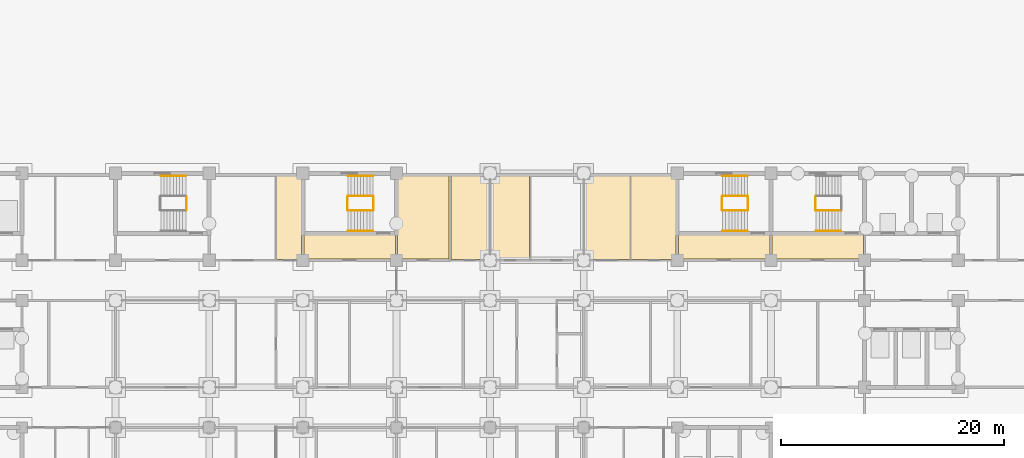
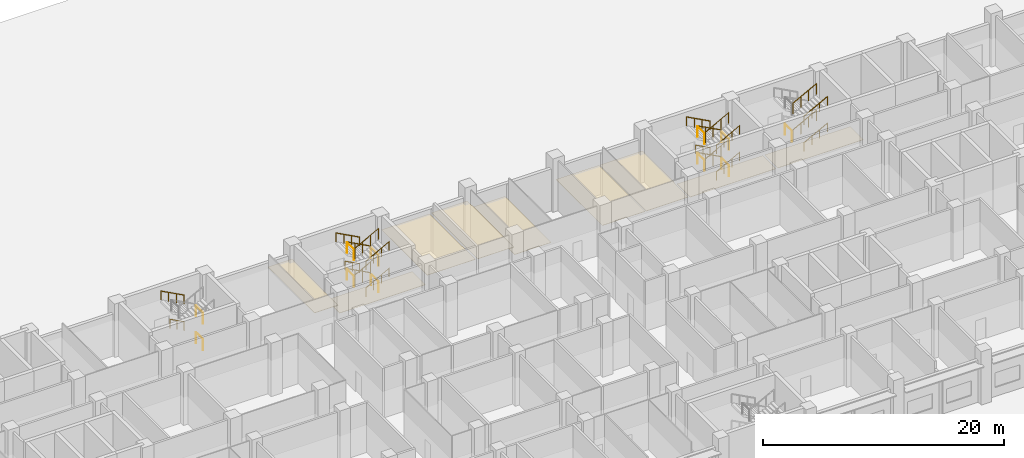
# One storey, part 141 of 146: 33 railings, 9 coverings.
"""IFC4 building model written with IfcOpenShell, lengths in metres."""

import ifcopenshell
import ifcopenshell.guid

model = None  # the IFC model being written
_history = None  # IfcOwnerHistory: only IFC2X3 demands one
_inside = {}  # id of a spatial element -> (the spatial element, [elements in it])
_under = {}  # id of a project, library or spatial element -> (it, [spatial elements below it])
_declared = {}  # id of a project -> (the project, [libraries it declares])
_typed = {}  # id of a type object -> (the type object, [elements of that type])
_made_of = {}  # id of a material, layer set ... -> (it, [elements and type objects made of it])


def new_model(schema):
    """Start an empty IFC model of exactly this schema.

    Asked for "IFC4X3", IfcOpenShell would pick the latest addendum, in which some entities
    have other attributes; the version numbers below select the first issue.
    IFC2X3 requires an IfcOwnerHistory on every rooted entity: one is made here for all.
    """
    global model, _history
    if schema == "IFC4X3":
        model = ifcopenshell.file(schema_version=(4, 3, 0, 0))
    else:
        model = ifcopenshell.file(schema=schema)
    _inside.clear()
    _under.clear()
    _declared.clear()
    _typed.clear()
    _made_of.clear()
    _history = None
    if model.schema == "IFC2X3":
        org = make("IfcOrganization", Name="unknown")
        user = make(
            "IfcPersonAndOrganization",
            ThePerson=make("IfcPerson", FamilyName="unknown"),
            TheOrganization=org,
        )
        app = make(
            "IfcApplication",
            ApplicationDeveloper=org,
            Version="unknown",
            ApplicationFullName="unknown",
            ApplicationIdentifier="unknown",
        )
        _history = make(
            "IfcOwnerHistory",
            OwningUser=user,
            OwningApplication=app,
            ChangeAction="ADDED",
            CreationDate=0,
        )
    return model


def make(cls, **values):
    """One entity of the class cls with the attributes given. An attribute that is None is left unset."""
    return model.create_entity(
        cls, **{name: value for name, value in values.items() if value is not None}
    )


def rooted(cls, **values):
    """An entity with a GlobalId (a new one), such as an element, a storey or a relation."""
    return make(cls, GlobalId=ifcopenshell.guid.new(), OwnerHistory=_history, **values)


def si_unit(unit_type, name, prefix=None):
    """IfcSIUnit, for example si_unit("LENGTHUNIT", "METRE", prefix="MILLI")."""
    return make("IfcSIUnit", UnitType=unit_type, Prefix=prefix, Name=name)


def assignment(units):
    """IfcUnitAssignment: the units of a project."""
    return None if units is None else make("IfcUnitAssignment", Units=units)


def point(xyz):
    """IfcCartesianPoint."""
    return None if xyz is None else make("IfcCartesianPoint", Coordinates=xyz)


def direction(xyz):
    """IfcDirection."""
    return None if xyz is None else make("IfcDirection", DirectionRatios=xyz)


def frame(location, z_axis=None, x_axis=None):
    """IfcAxis2Placement3D, a coordinate frame: its origin and axes. An axis left out is left unset."""
    return make(
        "IfcAxis2Placement3D",
        Location=point(location),
        Axis=direction(z_axis),
        RefDirection=direction(x_axis),
    )


def frame_2d(location, x_axis=None):
    """IfcAxis2Placement2D, a coordinate frame in the plane: its origin and x axis."""
    return make(
        "IfcAxis2Placement2D", Location=point(location), RefDirection=direction(x_axis)
    )


def origin():
    """The frame at (0, 0, 0) with its axes left unset."""
    return frame((0.0, 0.0, 0.0))


def origin_2d():
    """The frame at (0, 0) in the plane with its x axis left unset."""
    return frame_2d((0.0, 0.0))


def place(relative_to, where):
    """IfcLocalPlacement: puts the frame where relative to a parent placement (None: the world)."""
    return make(
        "IfcLocalPlacement", PlacementRelTo=relative_to, RelativePlacement=where
    )


def context(
    kind, dimensions, precision=None, world=None, true_north=None, identifier=None
):
    """IfcGeometricRepresentationContext, for example the 3D "Model" context."""
    return make(
        "IfcGeometricRepresentationContext",
        ContextIdentifier=identifier,
        ContextType=kind,
        CoordinateSpaceDimension=dimensions,
        Precision=precision,
        WorldCoordinateSystem=world,
        TrueNorth=true_north,
    )


def subcontext(parent, identifier, kind, view, scale=None):
    """IfcGeometricRepresentationSubContext, for example "Body" below "Model"."""
    return make(
        "IfcGeometricRepresentationSubContext",
        ContextIdentifier=identifier,
        ContextType=kind,
        ParentContext=parent,
        TargetScale=scale,
        TargetView=view,
    )


def project(units=None, contexts=None):
    """IfcProject with its units and contexts."""
    return rooted(
        "IfcProject",
        Name="project",
        RepresentationContexts=contexts,
        UnitsInContext=assignment(units),
    )


def spatial(cls, under=None, at=None, **own):
    """A site, building, storey or space (cls), placed at a placement, below another one or the project."""
    s = rooted(cls, ObjectPlacement=at, **own)
    if under is not None:
        _under.setdefault(under.id(), (under, []))[1].append(s)
    return s


def polyline(points):
    """IfcPolyline through the points."""
    return make("IfcPolyline", Points=[point(p) for p in points])


def profile(cls, at=None, kind="AREA", **sizes):
    """A parametric profile (cls). Its sizes go by their IFC names, for example OverallWidth=200.0."""
    return make(cls, ProfileType=kind, Position=at, **sizes)


def circle(**sizes):
    """IfcCircleProfileDef."""
    return profile("IfcCircleProfileDef", **sizes)


def outline(outer, holes=None, kind="AREA"):
    """IfcArbitraryClosedProfileDef: a profile drawn as a closed curve; with holes, ...WithVoids."""
    if holes is None:
        return make("IfcArbitraryClosedProfileDef", ProfileType=kind, OuterCurve=outer)
    return make(
        "IfcArbitraryProfileDefWithVoids",
        ProfileType=kind,
        OuterCurve=outer,
        InnerCurves=holes,
    )


def extrude(swept, where, along, depth):
    """IfcExtrudedAreaSolid: the profile swept, set in the frame where, extruded along a direction by depth."""
    return make(
        "IfcExtrudedAreaSolid",
        SweptArea=swept,
        Position=where,
        ExtrudedDirection=direction(along),
        Depth=depth,
    )


def shape(context_of_items, identifier, shape_type, items):
    """IfcShapeRepresentation: the items that make up one representation, for example the "Body"."""
    return make(
        "IfcShapeRepresentation",
        ContextOfItems=context_of_items,
        RepresentationIdentifier=identifier,
        RepresentationType=shape_type,
        Items=items,
    )


def material(Name=None, Category=None):
    """IfcMaterial."""
    return make("IfcMaterial", Name=Name, Category=Category)


def layer(
    of_material, thickness, ventilated=None, Name=None, Category=None, Priority=None
):
    """IfcMaterialLayer: one layer of a wall or slab, of a material (None: an air gap)."""
    return make(
        "IfcMaterialLayer",
        Material=of_material,
        LayerThickness=thickness,
        IsVentilated=ventilated,
        Name=Name,
        Category=Category,
        Priority=Priority,
    )


def layer_set(layers, Name=None):
    """IfcMaterialLayerSet."""
    return make("IfcMaterialLayerSet", MaterialLayers=layers, LayerSetName=Name)


def made_of(thing, what):
    """Note that an element or type object is made of a material, layer set ...; save() writes the relation."""
    if what is not None:
        _made_of.setdefault(what.id(), (what, []))[1].append(thing)
    return thing


def type_object(cls, material=None, **own):
    """A type object (cls), such as IfcWallType, which elements share."""
    return made_of(rooted(cls, **own), material)


def element(
    cls,
    number,
    at=None,
    inside=None,
    cuts=None,
    type_object=None,
    material=None,
    context=None,
    identifier="Body",
    shape_type=None,
    held_by="IfcProductDefinitionShape",
    body=None,
    shapes=None,
    **own,
):
    """One element of the class cls, such as IfcWall. Its Tag is "e" and its number.

    at: its placement. inside: the storey or other place that contains it. cuts: it is an
    opening in that element (IfcRelVoidsElement). A single representation is given by context,
    identifier, shape_type and body (its items); several are given by shapes. held_by: the class
    of the entity that holds the representations. save() writes the other relations.
    """
    e = rooted(cls, Tag="e%d" % number, ObjectPlacement=at, **own)
    if body is not None:
        shapes = [shape(context, identifier, shape_type, body)]
    if shapes is not None:
        e.Representation = make(held_by, Representations=shapes)
    if inside is not None:
        _inside.setdefault(inside.id(), (inside, []))[1].append(e)
    if cuts is not None:
        rooted(
            "IfcRelVoidsElement", RelatingBuildingElement=cuts, RelatedOpeningElement=e
        )
    if type_object is not None:
        _typed.setdefault(type_object.id(), (type_object, []))[1].append(e)
    return made_of(e, material)


def aggregate(whole, parts):
    """IfcRelAggregates: a whole, such as a stair, and the parts it consists of."""
    return rooted("IfcRelAggregates", RelatingObject=whole, RelatedObjects=parts)


def save(model, path):
    """Write the relations noted so far, then the file.

    IfcRelAggregates (storeys below a building ...), IfcRelContainedInSpatialStructure (elements
    in a storey), IfcRelDefinesByType, IfcRelAssociatesMaterial and IfcRelDeclares: one each for
    every whole, place, type object, material and project.
    """
    for whole, parts in _under.values():
        aggregate(whole, parts)
    for where, things in _inside.values():
        rooted(
            "IfcRelContainedInSpatialStructure",
            RelatedElements=things,
            RelatingStructure=where,
        )
    for kind, things in _typed.values():
        rooted("IfcRelDefinesByType", RelatedObjects=things, RelatingType=kind)
    for what, things in _made_of.values():
        rooted("IfcRelAssociatesMaterial", RelatedObjects=things, RelatingMaterial=what)
    for by, libraries in _declared.values():
        rooted("IfcRelDeclares", RelatingContext=by, RelatedDefinitions=libraries)
    model.write(path)


model = new_model("IFC4")

# Units and contexts
model_context = context("Model", 3, precision=1e-05, world=origin(), true_north=direction((0.0, 1.0)))
body_context = subcontext(model_context, "Body", "Model", "MODEL_VIEW")
ifc_project = project(units=[si_unit("LENGTHUNIT", "METRE"), si_unit("AREAUNIT", "SQUARE_METRE"), si_unit("VOLUMEUNIT", "CUBIC_METRE"), si_unit("PLANEANGLEUNIT", "RADIAN"), si_unit("MASSUNIT", "GRAM", prefix="KILO")], contexts=[model_context])

# Site, building, storey
site_placement = place(None, origin())
site = spatial("IfcSite", under=ifc_project, at=site_placement, CompositionType="ELEMENT")
building_placement = place(site_placement, origin())
building = spatial("IfcBuilding", under=site, at=building_placement, Name="Bougainvillea Quay General Hospital", CompositionType="ELEMENT")
storey_placement = place(building_placement, origin())
storey = spatial("IfcBuildingStorey", under=building, at=storey_placement, Name="L00", CompositionType="ELEMENT", Elevation=0.0)

# Railings
ifc_material_1 = material(Name="Stainless steel 304 balustrade", Category="steel")
railing_type_1 = type_object("IfcRailingType", Name="Stair guard 1100", PredefinedType="GUARDRAIL", material=ifc_material_1)
railing_1_placement = place(storey_placement, frame((146.81005859375, 157.5, 1.35009765625)))
element("IfcRailing", 1, at=railing_1_placement, inside=storey, type_object=railing_type_1, Name="L00 ST-D3 stair guard 2", PredefinedType="GUARDRAIL", context=body_context, shape_type="SweptSolid", body=[
    extrude(circle(Radius=0.02392578125, at=origin_2d()), frame((0.0, 0.0, 1.076171875), z_axis=(0.0, -1.0, 0.0), x_axis=(1.0, 0.0, 0.0)), (0.0, 0.0, 1.0), 1.199951171875),
    extrude(circle(Radius=0.02099609375, at=origin_2d()), origin(), (0.0, 0.0, 1.0), 1.052001953125),
    extrude(circle(Radius=0.02099609375, at=origin_2d()), frame((0.0, -1.199951171875, 0.0)), (0.0, 0.0, 1.0), 1.052001953125),
])
for number, where, name in (
    (2, (146.860107421875, 156.25, 1.5), "L00 ST-D3 stair guard 3"),
    (3, (146.860107421875, 156.25, 4.199951171875), "L00 ST-D3 stair guard 7"),
):
    element("IfcRailing", number, at=place(storey_placement, frame(where)), inside=storey, type_object=railing_type_1, Name=name, PredefinedType="GUARDRAIL", context=body_context, shape_type="SweptSolid", body=[
        extrude(circle(Radius=0.02392578125, at=origin_2d()), frame((0.0, 0.0, 1.076171875), z_axis=(0.881487111273, 0.0, 0.472208081951), x_axis=(0.0, 1.0, 0.0)), (0.0, 0.0, 1.0), 2.541259765625),
        extrude(circle(Radius=0.02099609375, at=origin_2d()), origin(), (0.0, 0.0, 1.0), 1.052001953125),
        extrude(circle(Radius=0.02099609375, at=origin_2d()), frame((0.74658203125, 0.0, 0.39990234375)), (0.0, 0.0, 1.0), 1.052001953125),
        extrude(circle(Radius=0.02099609375, at=origin_2d()), frame((1.493408203125, 0.0, 0.800048828125)), (0.0, 0.0, 1.0), 1.052001953125),
        extrude(circle(Radius=0.02099609375, at=origin_2d()), frame((2.239990234375, 0.0, 1.199951171875)), (0.0, 0.0, 1.0), 1.052001953125),
    ])
for number, where, name in (
    (4, (90.35009765625, 157.5, 2.699951171875), "L00 ST-A2 stair guard 4"),
    (5, (90.35009765625, 157.5, 0.0), "L00 ST-A2 stair guard 8"),
):
    element("IfcRailing", number, at=place(storey_placement, frame(where)), inside=storey, type_object=railing_type_1, Name=name, PredefinedType="GUARDRAIL", context=body_context, shape_type="SweptSolid", body=[
        extrude(circle(Radius=0.02392578125, at=origin_2d()), frame((0.0, 0.0, 1.076171875), z_axis=(0.0, -1.0, 0.0), x_axis=(1.0, 0.0, 0.0)), (0.0, 0.0, 1.0), 1.199951171875),
        extrude(circle(Radius=0.02099609375, at=origin_2d()), origin(), (0.0, 0.0, 1.0), 1.052001953125),
        extrude(circle(Radius=0.02099609375, at=origin_2d()), frame((0.0, -1.199951171875, 0.0)), (0.0, 0.0, 1.0), 1.052001953125),
    ])
railing_2_placement = place(storey_placement, frame((140.699951171875, 157.550048828125, 0.14990234375)))
element("IfcRailing", 6, at=railing_2_placement, inside=storey, type_object=railing_type_1, Name="L00 ST-A3 stair guard 1", PredefinedType="GUARDRAIL", context=body_context, shape_type="SweptSolid", body=[
    extrude(circle(Radius=0.02392578125, at=origin_2d()), frame((0.0, 0.0, 1.076171875), z_axis=(-0.881447119201, 0.0, 0.472282728937), x_axis=(0.0, -1.0, 0.0)), (0.0, 0.0, 1.0), 2.541259765625),
    extrude(circle(Radius=0.02099609375, at=origin_2d()), origin(), (0.0, 0.0, 1.0), 1.052001953125),
    extrude(circle(Radius=0.02099609375, at=origin_2d()), frame((-0.74658203125, 0.0, 0.400146484375)), (0.0, 0.0, 1.0), 1.052001953125),
    extrude(circle(Radius=0.02099609375, at=origin_2d()), frame((-1.493408203125, 0.0, 0.800048828125)), (0.0, 0.0, 1.0), 1.052001953125),
    extrude(circle(Radius=0.02099609375, at=origin_2d()), frame((-2.239990234375, 0.0, 1.2001953125)), (0.0, 0.0, 1.0), 1.052001953125),
])
railing_3_placement = place(storey_placement, frame((138.409912109375, 157.5, 1.35009765625)))
element("IfcRailing", 7, at=railing_3_placement, inside=storey, type_object=railing_type_1, Name="L00 ST-A3 stair guard 2", PredefinedType="GUARDRAIL", context=body_context, shape_type="SweptSolid", body=[
    extrude(circle(Radius=0.02392578125, at=origin_2d()), frame((0.0, 0.0, 1.076171875), z_axis=(0.0, -1.0, 0.0), x_axis=(1.0, 0.0, 0.0)), (0.0, 0.0, 1.0), 1.199951171875),
    extrude(circle(Radius=0.02099609375, at=origin_2d()), origin(), (0.0, 0.0, 1.0), 1.052001953125),
    extrude(circle(Radius=0.02099609375, at=origin_2d()), frame((0.0, -1.199951171875, 0.0)), (0.0, 0.0, 1.0), 1.052001953125),
])
railing_4_placement = place(storey_placement, frame((138.4599609375, 156.25, 1.5)))
element("IfcRailing", 8, at=railing_4_placement, inside=storey, type_object=railing_type_1, Name="L00 ST-A3 stair guard 3", PredefinedType="GUARDRAIL", context=body_context, shape_type="SweptSolid", body=[
    extrude(circle(Radius=0.02392578125, at=origin_2d()), frame((0.0, 0.0, 1.076171875), z_axis=(0.881487111273, 0.0, 0.472208081951), x_axis=(0.0, 1.0, 0.0)), (0.0, 0.0, 1.0), 2.541259765625),
    extrude(circle(Radius=0.02099609375, at=origin_2d()), origin(), (0.0, 0.0, 1.0), 1.052001953125),
    extrude(circle(Radius=0.02099609375, at=origin_2d()), frame((0.74658203125, 0.0, 0.39990234375)), (0.0, 0.0, 1.0), 1.052001953125),
    extrude(circle(Radius=0.02099609375, at=origin_2d()), frame((1.493408203125, 0.0, 0.800048828125)), (0.0, 0.0, 1.0), 1.052001953125),
    extrude(circle(Radius=0.02099609375, at=origin_2d()), frame((2.239990234375, 0.0, 1.199951171875)), (0.0, 0.0, 1.0), 1.052001953125),
])
railing_5_placement = place(storey_placement, frame((140.75, 157.5, 2.699951171875)))
element("IfcRailing", 9, at=railing_5_placement, inside=storey, type_object=railing_type_1, Name="L00 ST-A3 stair guard 4", PredefinedType="GUARDRAIL", context=body_context, shape_type="SweptSolid", body=[
    extrude(circle(Radius=0.02392578125, at=origin_2d()), frame((0.0, 0.0, 1.076171875), z_axis=(0.0, -1.0, 0.0), x_axis=(1.0, 0.0, 0.0)), (0.0, 0.0, 1.0), 1.199951171875),
    extrude(circle(Radius=0.02099609375, at=origin_2d()), origin(), (0.0, 0.0, 1.0), 1.052001953125),
    extrude(circle(Radius=0.02099609375, at=origin_2d()), frame((0.0, -1.199951171875, 0.0)), (0.0, 0.0, 1.0), 1.052001953125),
])
railing_6_placement = place(storey_placement, frame((140.699951171875, 157.550048828125, 2.85009765625)))
element("IfcRailing", 10, at=railing_6_placement, inside=storey, type_object=railing_type_1, Name="L00 ST-A3 stair guard 5", PredefinedType="GUARDRAIL", context=body_context, shape_type="SweptSolid", body=[
    extrude(circle(Radius=0.02392578125, at=origin_2d()), frame((0.0, 0.0, 1.076171875), z_axis=(-0.881487111273, 0.0, 0.472208081951), x_axis=(0.0, -1.0, 0.0)), (0.0, 0.0, 1.0), 2.541259765625),
    extrude(circle(Radius=0.02099609375, at=origin_2d()), origin(), (0.0, 0.0, 1.0), 1.052001953125),
    extrude(circle(Radius=0.02099609375, at=origin_2d()), frame((-0.74658203125, 0.0, 0.39990234375)), (0.0, 0.0, 1.0), 1.052001953125),
    extrude(circle(Radius=0.02099609375, at=origin_2d()), frame((-1.493408203125, 0.0, 0.800048828125)), (0.0, 0.0, 1.0), 1.052001953125),
    extrude(circle(Radius=0.02099609375, at=origin_2d()), frame((-2.239990234375, 0.0, 1.199951171875)), (0.0, 0.0, 1.0), 1.052001953125),
])
railing_7_placement = place(storey_placement, frame((138.409912109375, 157.5, 4.050048828125)))
element("IfcRailing", 11, at=railing_7_placement, inside=storey, type_object=railing_type_1, Name="L00 ST-A3 stair guard 6", PredefinedType="GUARDRAIL", context=body_context, shape_type="SweptSolid", body=[
    extrude(circle(Radius=0.02392578125, at=origin_2d()), frame((0.0, 0.0, 1.076171875), z_axis=(0.0, -1.0, 0.0), x_axis=(1.0, 0.0, 0.0)), (0.0, 0.0, 1.0), 1.199951171875),
    extrude(circle(Radius=0.02099609375, at=origin_2d()), origin(), (0.0, 0.0, 1.0), 1.052001953125),
    extrude(circle(Radius=0.02099609375, at=origin_2d()), frame((0.0, -1.199951171875, 0.0)), (0.0, 0.0, 1.0), 1.052001953125),
])
railing_8_placement = place(storey_placement, frame((138.4599609375, 156.25, 4.199951171875)))
element("IfcRailing", 12, at=railing_8_placement, inside=storey, type_object=railing_type_1, Name="L00 ST-A3 stair guard 7", PredefinedType="GUARDRAIL", context=body_context, shape_type="SweptSolid", body=[
    extrude(circle(Radius=0.02392578125, at=origin_2d()), frame((0.0, 0.0, 1.076171875), z_axis=(0.881487111273, 0.0, 0.472208081951), x_axis=(0.0, 1.0, 0.0)), (0.0, 0.0, 1.0), 2.541259765625),
    extrude(circle(Radius=0.02099609375, at=origin_2d()), origin(), (0.0, 0.0, 1.0), 1.052001953125),
    extrude(circle(Radius=0.02099609375, at=origin_2d()), frame((0.74658203125, 0.0, 0.39990234375)), (0.0, 0.0, 1.0), 1.052001953125),
    extrude(circle(Radius=0.02099609375, at=origin_2d()), frame((1.493408203125, 0.0, 0.800048828125)), (0.0, 0.0, 1.0), 1.052001953125),
    extrude(circle(Radius=0.02099609375, at=origin_2d()), frame((2.239990234375, 0.0, 1.199951171875)), (0.0, 0.0, 1.0), 1.052001953125),
])
railing_9_placement = place(storey_placement, frame((140.75, 157.5, 0.0)))
element("IfcRailing", 13, at=railing_9_placement, inside=storey, type_object=railing_type_1, Name="L00 ST-A3 stair guard 8", PredefinedType="GUARDRAIL", context=body_context, shape_type="SweptSolid", body=[
    extrude(circle(Radius=0.02392578125, at=origin_2d()), frame((0.0, 0.0, 1.076171875), z_axis=(0.0, -1.0, 0.0), x_axis=(1.0, 0.0, 0.0)), (0.0, 0.0, 1.0), 1.199951171875),
    extrude(circle(Radius=0.02099609375, at=origin_2d()), origin(), (0.0, 0.0, 1.0), 1.052001953125),
    extrude(circle(Radius=0.02099609375, at=origin_2d()), frame((0.0, -1.199951171875, 0.0)), (0.0, 0.0, 1.0), 1.052001953125),
])
railing_10_placement = place(storey_placement, frame((107.10009765625, 157.550048828125, 0.14990234375)))
element("IfcRailing", 14, at=railing_10_placement, inside=storey, type_object=railing_type_1, Name="L00 ST-A5 stair guard 1", PredefinedType="GUARDRAIL", context=body_context, shape_type="SweptSolid", body=[
    extrude(circle(Radius=0.02392578125, at=origin_2d()), frame((0.0, 0.0, 1.076171875), z_axis=(-0.881447119201, 0.0, 0.472282728937), x_axis=(0.0, -1.0, 0.0)), (0.0, 0.0, 1.0), 2.541259765625),
    extrude(circle(Radius=0.02099609375, at=origin_2d()), origin(), (0.0, 0.0, 1.0), 1.052001953125),
    extrude(circle(Radius=0.02099609375, at=origin_2d()), frame((-0.74658203125, 0.0, 0.400146484375)), (0.0, 0.0, 1.0), 1.052001953125),
    extrude(circle(Radius=0.02099609375, at=origin_2d()), frame((-1.493408203125, 0.0, 0.800048828125)), (0.0, 0.0, 1.0), 1.052001953125),
    extrude(circle(Radius=0.02099609375, at=origin_2d()), frame((-2.239990234375, 0.0, 1.2001953125)), (0.0, 0.0, 1.0), 1.052001953125),
])
railing_11_placement = place(storey_placement, frame((104.81005859375, 157.5, 1.35009765625)))
element("IfcRailing", 15, at=railing_11_placement, inside=storey, type_object=railing_type_1, Name="L00 ST-A5 stair guard 2", PredefinedType="GUARDRAIL", context=body_context, shape_type="SweptSolid", body=[
    extrude(circle(Radius=0.02392578125, at=origin_2d()), frame((0.0, 0.0, 1.076171875), z_axis=(0.0, -1.0, 0.0), x_axis=(1.0, 0.0, 0.0)), (0.0, 0.0, 1.0), 1.199951171875),
    extrude(circle(Radius=0.02099609375, at=origin_2d()), origin(), (0.0, 0.0, 1.0), 1.052001953125),
    extrude(circle(Radius=0.02099609375, at=origin_2d()), frame((0.0, -1.199951171875, 0.0)), (0.0, 0.0, 1.0), 1.052001953125),
])
railing_12_placement = place(storey_placement, frame((104.860107421875, 156.25, 1.5)))
element("IfcRailing", 16, at=railing_12_placement, inside=storey, type_object=railing_type_1, Name="L00 ST-A5 stair guard 3", PredefinedType="GUARDRAIL", context=body_context, shape_type="SweptSolid", body=[
    extrude(circle(Radius=0.02392578125, at=origin_2d()), frame((0.0, 0.0, 1.076171875), z_axis=(0.881487111273, 0.0, 0.472208081951), x_axis=(0.0, 1.0, 0.0)), (0.0, 0.0, 1.0), 2.541259765625),
    extrude(circle(Radius=0.02099609375, at=origin_2d()), origin(), (0.0, 0.0, 1.0), 1.052001953125),
    extrude(circle(Radius=0.02099609375, at=origin_2d()), frame((0.74658203125, 0.0, 0.39990234375)), (0.0, 0.0, 1.0), 1.052001953125),
    extrude(circle(Radius=0.02099609375, at=origin_2d()), frame((1.493408203125, 0.0, 0.800048828125)), (0.0, 0.0, 1.0), 1.052001953125),
    extrude(circle(Radius=0.02099609375, at=origin_2d()), frame((2.239990234375, 0.0, 1.199951171875)), (0.0, 0.0, 1.0), 1.052001953125),
])
railing_13_placement = place(storey_placement, frame((107.14990234375, 157.5, 2.699951171875)))
element("IfcRailing", 17, at=railing_13_placement, inside=storey, type_object=railing_type_1, Name="L00 ST-A5 stair guard 4", PredefinedType="GUARDRAIL", context=body_context, shape_type="SweptSolid", body=[
    extrude(circle(Radius=0.02392578125, at=origin_2d()), frame((0.0, 0.0, 1.076171875), z_axis=(0.0, -1.0, 0.0), x_axis=(1.0, 0.0, 0.0)), (0.0, 0.0, 1.0), 1.199951171875),
    extrude(circle(Radius=0.02099609375, at=origin_2d()), origin(), (0.0, 0.0, 1.0), 1.052001953125),
    extrude(circle(Radius=0.02099609375, at=origin_2d()), frame((0.0, -1.199951171875, 0.0)), (0.0, 0.0, 1.0), 1.052001953125),
])
railing_14_placement = place(storey_placement, frame((107.10009765625, 157.550048828125, 2.85009765625)))
element("IfcRailing", 18, at=railing_14_placement, inside=storey, type_object=railing_type_1, Name="L00 ST-A5 stair guard 5", PredefinedType="GUARDRAIL", context=body_context, shape_type="SweptSolid", body=[
    extrude(circle(Radius=0.02392578125, at=origin_2d()), frame((0.0, 0.0, 1.076171875), z_axis=(-0.881487111273, 0.0, 0.472208081951), x_axis=(0.0, -1.0, 0.0)), (0.0, 0.0, 1.0), 2.541259765625),
    extrude(circle(Radius=0.02099609375, at=origin_2d()), origin(), (0.0, 0.0, 1.0), 1.052001953125),
    extrude(circle(Radius=0.02099609375, at=origin_2d()), frame((-0.74658203125, 0.0, 0.39990234375)), (0.0, 0.0, 1.0), 1.052001953125),
    extrude(circle(Radius=0.02099609375, at=origin_2d()), frame((-1.493408203125, 0.0, 0.800048828125)), (0.0, 0.0, 1.0), 1.052001953125),
    extrude(circle(Radius=0.02099609375, at=origin_2d()), frame((-2.239990234375, 0.0, 1.199951171875)), (0.0, 0.0, 1.0), 1.052001953125),
])
railing_15_placement = place(storey_placement, frame((104.81005859375, 157.5, 4.050048828125)))
element("IfcRailing", 19, at=railing_15_placement, inside=storey, type_object=railing_type_1, Name="L00 ST-A5 stair guard 6", PredefinedType="GUARDRAIL", context=body_context, shape_type="SweptSolid", body=[
    extrude(circle(Radius=0.02392578125, at=origin_2d()), frame((0.0, 0.0, 1.076171875), z_axis=(0.0, -1.0, 0.0), x_axis=(1.0, 0.0, 0.0)), (0.0, 0.0, 1.0), 1.199951171875),
    extrude(circle(Radius=0.02099609375, at=origin_2d()), origin(), (0.0, 0.0, 1.0), 1.052001953125),
    extrude(circle(Radius=0.02099609375, at=origin_2d()), frame((0.0, -1.199951171875, 0.0)), (0.0, 0.0, 1.0), 1.052001953125),
])
railing_16_placement = place(storey_placement, frame((104.860107421875, 156.25, 4.199951171875)))
element("IfcRailing", 20, at=railing_16_placement, inside=storey, type_object=railing_type_1, Name="L00 ST-A5 stair guard 7", PredefinedType="GUARDRAIL", context=body_context, shape_type="SweptSolid", body=[
    extrude(circle(Radius=0.02392578125, at=origin_2d()), frame((0.0, 0.0, 1.076171875), z_axis=(0.881487111273, 0.0, 0.472208081951), x_axis=(0.0, 1.0, 0.0)), (0.0, 0.0, 1.0), 2.541259765625),
    extrude(circle(Radius=0.02099609375, at=origin_2d()), origin(), (0.0, 0.0, 1.0), 1.052001953125),
    extrude(circle(Radius=0.02099609375, at=origin_2d()), frame((0.74658203125, 0.0, 0.39990234375)), (0.0, 0.0, 1.0), 1.052001953125),
    extrude(circle(Radius=0.02099609375, at=origin_2d()), frame((1.493408203125, 0.0, 0.800048828125)), (0.0, 0.0, 1.0), 1.052001953125),
    extrude(circle(Radius=0.02099609375, at=origin_2d()), frame((2.239990234375, 0.0, 1.199951171875)), (0.0, 0.0, 1.0), 1.052001953125),
])
railing_17_placement = place(storey_placement, frame((107.14990234375, 157.5, 0.0)))
element("IfcRailing", 21, at=railing_17_placement, inside=storey, type_object=railing_type_1, Name="L00 ST-A5 stair guard 8", PredefinedType="GUARDRAIL", context=body_context, shape_type="SweptSolid", body=[
    extrude(circle(Radius=0.02392578125, at=origin_2d()), frame((0.0, 0.0, 1.076171875), z_axis=(0.0, -1.0, 0.0), x_axis=(1.0, 0.0, 0.0)), (0.0, 0.0, 1.0), 1.199951171875),
    extrude(circle(Radius=0.02099609375, at=origin_2d()), origin(), (0.0, 0.0, 1.0), 1.052001953125),
    extrude(circle(Radius=0.02099609375, at=origin_2d()), frame((0.0, -1.199951171875, 0.0)), (0.0, 0.0, 1.0), 1.052001953125),
])
ifc_material_2 = material(Name="Stainless steel 304 handrail", Category="steel")
railing_type_2 = type_object("IfcRailingType", Name="Stair handrail 900", PredefinedType="HANDRAIL", material=ifc_material_2)
for number, where, name in (
    (22, (146.860107421875, 154.425048828125, 1.5), "L00 ST-D3 stair handrail 2"),
    (23, (146.860107421875, 154.425048828125, 4.199951171875), "L00 ST-D3 stair handrail 4"),
):
    element("IfcRailing", number, at=place(storey_placement, frame(where)), inside=storey, type_object=railing_type_2, Name=name, PredefinedType="HANDRAIL", context=body_context, shape_type="SweptSolid", body=[
        extrude(circle(Radius=0.02392578125, at=origin_2d()), frame((0.0, 0.0, 0.8759765625), z_axis=(0.881487111273, 0.0, 0.472208081951), x_axis=(0.0, 1.0, 0.0)), (0.0, 0.0, 1.0), 2.541259765625),
        extrude(circle(Radius=0.02099609375, at=origin_2d()), origin(), (0.0, 0.0, 1.0), 0.851806640625),
        extrude(circle(Radius=0.02099609375, at=origin_2d()), frame((0.74658203125, 0.0, 0.39990234375)), (0.0, 0.0, 1.0), 0.851806640625),
        extrude(circle(Radius=0.02099609375, at=origin_2d()), frame((1.493408203125, 0.0, 0.800048828125)), (0.0, 0.0, 1.0), 0.851806640625),
        extrude(circle(Radius=0.02099609375, at=origin_2d()), frame((2.239990234375, 0.0, 1.199951171875)), (0.0, 0.0, 1.0), 0.851806640625),
    ])
railing_18_placement = place(storey_placement, frame((90.300048828125, 159.375, 2.85009765625)))
element("IfcRailing", 24, at=railing_18_placement, inside=storey, type_object=railing_type_2, Name="L00 ST-A2 stair handrail 3", PredefinedType="HANDRAIL", context=body_context, shape_type="SweptSolid", body=[
    extrude(circle(Radius=0.02392578125, at=origin_2d()), frame((0.0, 0.0, 0.8759765625), z_axis=(-0.881487111273, 0.0, 0.472208081951), x_axis=(0.0, -1.0, 0.0)), (0.0, 0.0, 1.0), 2.541259765625),
    extrude(circle(Radius=0.02099609375, at=origin_2d()), origin(), (0.0, 0.0, 1.0), 0.851806640625),
    extrude(circle(Radius=0.02099609375, at=origin_2d()), frame((-0.74658203125, 0.0, 0.39990234375)), (0.0, 0.0, 1.0), 0.851806640625),
    extrude(circle(Radius=0.02099609375, at=origin_2d()), frame((-1.493408203125, 0.0, 0.800048828125)), (0.0, 0.0, 1.0), 0.851806640625),
    extrude(circle(Radius=0.02099609375, at=origin_2d()), frame((-2.239990234375, 0.0, 1.199951171875)), (0.0, 0.0, 1.0), 0.851806640625),
])
railing_19_placement = place(storey_placement, frame((138.4599609375, 154.425048828125, 1.5)))
element("IfcRailing", 25, at=railing_19_placement, inside=storey, type_object=railing_type_2, Name="L00 ST-A3 stair handrail 2", PredefinedType="HANDRAIL", context=body_context, shape_type="SweptSolid", body=[
    extrude(circle(Radius=0.02392578125, at=origin_2d()), frame((0.0, 0.0, 0.8759765625), z_axis=(0.881487111273, 0.0, 0.472208081951), x_axis=(0.0, 1.0, 0.0)), (0.0, 0.0, 1.0), 2.541259765625),
    extrude(circle(Radius=0.02099609375, at=origin_2d()), origin(), (0.0, 0.0, 1.0), 0.851806640625),
    extrude(circle(Radius=0.02099609375, at=origin_2d()), frame((0.74658203125, 0.0, 0.39990234375)), (0.0, 0.0, 1.0), 0.851806640625),
    extrude(circle(Radius=0.02099609375, at=origin_2d()), frame((1.493408203125, 0.0, 0.800048828125)), (0.0, 0.0, 1.0), 0.851806640625),
    extrude(circle(Radius=0.02099609375, at=origin_2d()), frame((2.239990234375, 0.0, 1.199951171875)), (0.0, 0.0, 1.0), 0.851806640625),
])
railing_20_placement = place(storey_placement, frame((140.699951171875, 159.375, 2.85009765625)))
element("IfcRailing", 26, at=railing_20_placement, inside=storey, type_object=railing_type_2, Name="L00 ST-A3 stair handrail 3", PredefinedType="HANDRAIL", context=body_context, shape_type="SweptSolid", body=[
    extrude(circle(Radius=0.02392578125, at=origin_2d()), frame((0.0, 0.0, 0.8759765625), z_axis=(-0.881487111273, 0.0, 0.472208081951), x_axis=(0.0, -1.0, 0.0)), (0.0, 0.0, 1.0), 2.541259765625),
    extrude(circle(Radius=0.02099609375, at=origin_2d()), origin(), (0.0, 0.0, 1.0), 0.851806640625),
    extrude(circle(Radius=0.02099609375, at=origin_2d()), frame((-0.74658203125, 0.0, 0.39990234375)), (0.0, 0.0, 1.0), 0.851806640625),
    extrude(circle(Radius=0.02099609375, at=origin_2d()), frame((-1.493408203125, 0.0, 0.800048828125)), (0.0, 0.0, 1.0), 0.851806640625),
    extrude(circle(Radius=0.02099609375, at=origin_2d()), frame((-2.239990234375, 0.0, 1.199951171875)), (0.0, 0.0, 1.0), 0.851806640625),
])
for number, where, name in (
    (27, (138.4599609375, 154.425048828125, 4.199951171875), "L00 ST-A3 stair handrail 4"),
    (28, (104.860107421875, 154.425048828125, 1.5), "L00 ST-A5 stair handrail 2"),
):
    element("IfcRailing", number, at=place(storey_placement, frame(where)), inside=storey, type_object=railing_type_2, Name=name, PredefinedType="HANDRAIL", context=body_context, shape_type="SweptSolid", body=[
        extrude(circle(Radius=0.02392578125, at=origin_2d()), frame((0.0, 0.0, 0.8759765625), z_axis=(0.881487111273, 0.0, 0.472208081951), x_axis=(0.0, 1.0, 0.0)), (0.0, 0.0, 1.0), 2.541259765625),
        extrude(circle(Radius=0.02099609375, at=origin_2d()), origin(), (0.0, 0.0, 1.0), 0.851806640625),
        extrude(circle(Radius=0.02099609375, at=origin_2d()), frame((0.74658203125, 0.0, 0.39990234375)), (0.0, 0.0, 1.0), 0.851806640625),
        extrude(circle(Radius=0.02099609375, at=origin_2d()), frame((1.493408203125, 0.0, 0.800048828125)), (0.0, 0.0, 1.0), 0.851806640625),
        extrude(circle(Radius=0.02099609375, at=origin_2d()), frame((2.239990234375, 0.0, 1.199951171875)), (0.0, 0.0, 1.0), 0.851806640625),
    ])
railing_21_placement = place(storey_placement, frame((107.10009765625, 159.375, 2.85009765625)))
element("IfcRailing", 29, at=railing_21_placement, inside=storey, type_object=railing_type_2, Name="L00 ST-A5 stair handrail 3", PredefinedType="HANDRAIL", context=body_context, shape_type="SweptSolid", body=[
    extrude(circle(Radius=0.02392578125, at=origin_2d()), frame((0.0, 0.0, 0.8759765625), z_axis=(-0.881487111273, 0.0, 0.472208081951), x_axis=(0.0, -1.0, 0.0)), (0.0, 0.0, 1.0), 2.541259765625),
    extrude(circle(Radius=0.02099609375, at=origin_2d()), origin(), (0.0, 0.0, 1.0), 0.851806640625),
    extrude(circle(Radius=0.02099609375, at=origin_2d()), frame((-0.74658203125, 0.0, 0.39990234375)), (0.0, 0.0, 1.0), 0.851806640625),
    extrude(circle(Radius=0.02099609375, at=origin_2d()), frame((-1.493408203125, 0.0, 0.800048828125)), (0.0, 0.0, 1.0), 0.851806640625),
    extrude(circle(Radius=0.02099609375, at=origin_2d()), frame((-2.239990234375, 0.0, 1.199951171875)), (0.0, 0.0, 1.0), 0.851806640625),
])
railing_22_placement = place(storey_placement, frame((104.860107421875, 154.425048828125, 4.199951171875)))
element("IfcRailing", 30, at=railing_22_placement, inside=storey, type_object=railing_type_2, Name="L00 ST-A5 stair handrail 4", PredefinedType="HANDRAIL", context=body_context, shape_type="SweptSolid", body=[
    extrude(circle(Radius=0.02392578125, at=origin_2d()), frame((0.0, 0.0, 0.8759765625), z_axis=(0.881487111273, 0.0, 0.472208081951), x_axis=(0.0, 1.0, 0.0)), (0.0, 0.0, 1.0), 2.541259765625),
    extrude(circle(Radius=0.02099609375, at=origin_2d()), origin(), (0.0, 0.0, 1.0), 0.851806640625),
    extrude(circle(Radius=0.02099609375, at=origin_2d()), frame((0.74658203125, 0.0, 0.39990234375)), (0.0, 0.0, 1.0), 0.851806640625),
    extrude(circle(Radius=0.02099609375, at=origin_2d()), frame((1.493408203125, 0.0, 0.800048828125)), (0.0, 0.0, 1.0), 0.851806640625),
    extrude(circle(Radius=0.02099609375, at=origin_2d()), frame((2.239990234375, 0.0, 1.199951171875)), (0.0, 0.0, 1.0), 0.851806640625),
])
railing_23_placement = place(storey_placement, frame((90.300048828125, 159.375, 0.14990234375)))
element("IfcRailing", 31, at=railing_23_placement, inside=storey, type_object=railing_type_2, Name="L00 ST-A2 stair handrail 1", PredefinedType="HANDRAIL", context=body_context, shape_type="SweptSolid", body=[
    extrude(circle(Radius=0.02392578125, at=origin_2d()), frame((0.0, 0.0, 0.8759765625), z_axis=(-0.881442608166, 0.0, 0.472291148032), x_axis=(0.0, -1.0, 0.0)), (0.0, 0.0, 1.0), 1.554443359375),
    extrude(circle(Radius=0.02099609375, at=origin_2d()), origin(), (0.0, 0.0, 1.0), 0.851806640625),
    extrude(circle(Radius=0.02099609375, at=origin_2d()), frame((-0.68505859375, 0.0, 0.3671875)), (0.0, 0.0, 1.0), 0.851806640625),
    extrude(circle(Radius=0.02099609375, at=origin_2d()), frame((-1.3701171875, 0.0, 0.734130859375)), (0.0, 0.0, 1.0), 0.851806640625),
])
railing_24_placement = place(storey_placement, frame((140.699951171875, 159.375, 0.14990234375)))
element("IfcRailing", 32, at=railing_24_placement, inside=storey, type_object=railing_type_2, Name="L00 ST-A3 stair handrail 1", PredefinedType="HANDRAIL", context=body_context, shape_type="SweptSolid", body=[
    extrude(circle(Radius=0.02392578125, at=origin_2d()), frame((0.0, 0.0, 0.8759765625), z_axis=(-0.881407566384, 0.0, 0.472356541101), x_axis=(0.0, -1.0, 0.0)), (0.0, 0.0, 1.0), 1.55419921875),
    extrude(circle(Radius=0.02099609375, at=origin_2d()), origin(), (0.0, 0.0, 1.0), 0.851806640625),
    extrude(circle(Radius=0.02099609375, at=origin_2d()), frame((-0.68505859375, 0.0, 0.3671875)), (0.0, 0.0, 1.0), 0.851806640625),
    extrude(circle(Radius=0.02099609375, at=origin_2d()), frame((-1.369873046875, 0.0, 0.734130859375)), (0.0, 0.0, 1.0), 0.851806640625),
])
railing_25_placement = place(storey_placement, frame((107.10009765625, 159.375, 0.14990234375)))
element("IfcRailing", 33, at=railing_25_placement, inside=storey, type_object=railing_type_2, Name="L00 ST-A5 stair handrail 1", PredefinedType="HANDRAIL", context=body_context, shape_type="SweptSolid", body=[
    extrude(circle(Radius=0.02392578125, at=origin_2d()), frame((0.0, 0.0, 0.8759765625), z_axis=(-0.881442608166, 0.0, 0.472291148032), x_axis=(0.0, -1.0, 0.0)), (0.0, 0.0, 1.0), 1.554443359375),
    extrude(circle(Radius=0.02099609375, at=origin_2d()), origin(), (0.0, 0.0, 1.0), 0.851806640625),
    extrude(circle(Radius=0.02099609375, at=origin_2d()), frame((-0.68505859375, 0.0, 0.3671875)), (0.0, 0.0, 1.0), 0.851806640625),
    extrude(circle(Radius=0.02099609375, at=origin_2d()), frame((-1.3701171875, 0.0, 0.734130859375)), (0.0, 0.0, 1.0), 0.851806640625),
])

# Coverings
ifc_material_3 = material(Name="Mineral fibre ceiling tile")
ifc_layer = layer(ifc_material_3, 0.030029296875)
ifc_layer_set = layer_set([ifc_layer], Name="Mineral fibre ceiling tile")
covering_type = type_object("IfcCoveringType", Name="Suspended ceiling mineral fibre tile", PredefinedType="CEILING", material=ifc_layer_set)
covering_1_placement = place(storey_placement, frame((0.0, 0.0, 2.699951171875)))
element("IfcCovering", 34, at=covering_1_placement, inside=storey, type_object=covering_type, Name="Ceiling Smoke-proof Stair Vestibule ST-A3", PredefinedType="CEILING", context=body_context, shape_type="SweptSolid", body=[
    extrude(outline(polyline([(134.5, 154.10009765625), (134.5, 151.89990234375), (142.699951171875, 151.89990234375), (142.699951171875, 154.10009765625), (134.5, 154.10009765625)])), origin(), (0.0, 0.0, 1.0), 0.030029296875),
])
covering_2_placement = place(storey_placement, frame((0.0, 0.0, 2.699951171875)))
element("IfcCovering", 35, at=covering_2_placement, inside=storey, type_object=covering_type, Name="Ceiling Smoke-proof Stair Vestibule ST-A5", PredefinedType="CEILING", context=body_context, shape_type="SweptSolid", body=[
    extrude(outline(polyline([(100.89990234375, 151.89990234375), (109.10009765625, 151.89990234375), (109.10009765625, 154.10009765625), (100.89990234375, 154.10009765625), (100.89990234375, 151.89990234375)])), origin(), (0.0, 0.0, 1.0), 0.030029296875),
])
covering_3_placement = place(storey_placement, frame((0.0, 0.0, 2.699951171875)))
element("IfcCovering", 36, at=covering_3_placement, inside=storey, type_object=covering_type, Name="Ceiling Smoke-proof Stair Vestibule ST-D3", PredefinedType="CEILING", context=body_context, shape_type="SweptSolid", body=[
    extrude(outline(polyline([(142.89990234375, 154.10009765625), (142.89990234375, 151.89990234375), (151.10009765625, 151.89990234375), (151.10009765625, 154.10009765625), (142.89990234375, 154.10009765625)])), origin(), (0.0, 0.0, 1.0), 0.030029296875),
])
covering_4_placement = place(storey_placement, frame((0.0, 0.0, 3.60009765625)))
element("IfcCovering", 37, at=covering_4_placement, inside=storey, type_object=covering_type, Name="Ceiling Staff Dining Hall", PredefinedType="CEILING", context=body_context, shape_type="SweptSolid", body=[
    extrude(outline(polyline([(98.447998046875, 159.552001953125), (98.447998046875, 151.85009765625), (100.699951171875, 151.85009765625), (100.699951171875, 154.300048828125), (100.75, 154.300048828125), (100.75, 159.552001953125), (98.447998046875, 159.552001953125)])), origin(), (0.0, 0.0, 1.0), 0.02978515625),
])
covering_5_placement = place(storey_placement, frame((0.0, 0.0, 3.60009765625)))
element("IfcCovering", 38, at=covering_5_placement, inside=storey, type_object=covering_type, Name="Ceiling Kitchen Dishwash Room", PredefinedType="CEILING", context=body_context, shape_type="SweptSolid", body=[
    extrude(outline(polyline([(113.89794921875, 159.501953125), (109.300048828125, 159.501953125), (109.300048828125, 151.89990234375), (113.89794921875, 151.89990234375), (113.89794921875, 159.501953125)])), origin(), (0.0, 0.0, 1.0), 0.02978515625),
])
covering_6_placement = place(storey_placement, frame((0.0, 0.0, 3.60009765625)))
element("IfcCovering", 39, at=covering_6_placement, inside=storey, type_object=covering_type, Name="Ceiling Kitchen Staff Changing Room", PredefinedType="CEILING", context=body_context, shape_type="SweptSolid", body=[
    extrude(outline(polyline([(114.097900390625, 159.552001953125), (114.097900390625, 151.85009765625), (117.548095703125, 151.85009765625), (117.548095703125, 159.552001953125), (114.097900390625, 159.552001953125)])), origin(), (0.0, 0.0, 1.0), 0.02978515625),
])
covering_7_placement = place(storey_placement, frame((0.0, 0.0, 2.800048828125)))
element("IfcCovering", 40, at=covering_7_placement, inside=storey, type_object=covering_type, Name="Ceiling Dietitian Office", PredefinedType="CEILING", context=body_context, shape_type="SweptSolid", body=[
    extrude(outline(polyline([(117.64794921875, 151.85009765625), (121.14794921875, 151.85009765625), (121.14794921875, 159.552001953125), (117.64794921875, 159.552001953125), (117.64794921875, 151.85009765625)])), origin(), (0.0, 0.0, 1.0), 0.030029296875),
])
covering_8_placement = place(storey_placement, frame((0.0, 0.0, 2.800048828125)))
element("IfcCovering", 41, at=covering_8_placement, inside=storey, type_object=covering_type, Name="Ceiling Linen Dispatch Room", PredefinedType="CEILING", context=body_context, shape_type="SweptSolid", body=[
    extrude(outline(polyline([(130.14990234375, 151.85009765625), (130.14990234375, 159.552001953125), (126.050048828125, 159.552001953125), (126.050048828125, 151.85009765625), (130.14990234375, 151.85009765625)])), origin(), (0.0, 0.0, 1.0), 0.030029296875),
])
covering_9_placement = place(storey_placement, frame((0.0, 0.0, 2.800048828125)))
element("IfcCovering", 42, at=covering_9_placement, inside=storey, type_object=covering_type, Name="Ceiling Laundry Office", PredefinedType="CEILING", context=body_context, shape_type="SweptSolid", body=[
    extrude(outline(polyline([(134.300048828125, 151.85009765625), (134.300048828125, 154.300048828125), (134.35009765625, 154.300048828125), (134.35009765625, 159.552001953125), (130.25, 159.552001953125), (130.25, 151.85009765625), (134.300048828125, 151.85009765625)])), origin(), (0.0, 0.0, 1.0), 0.030029296875),
])

save(model, "model.ifc")
